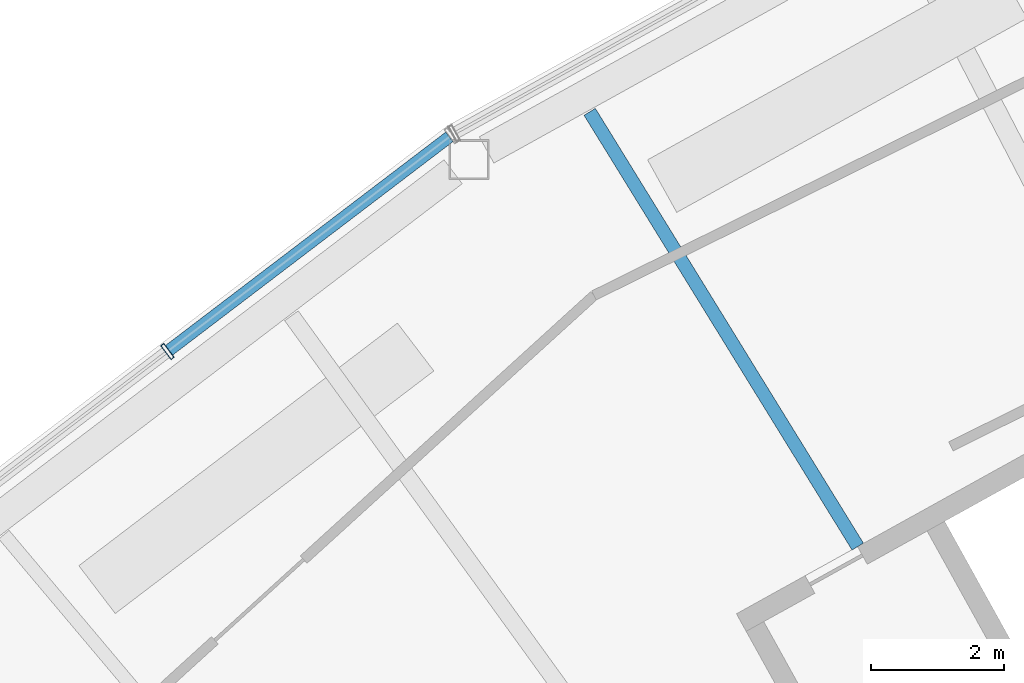
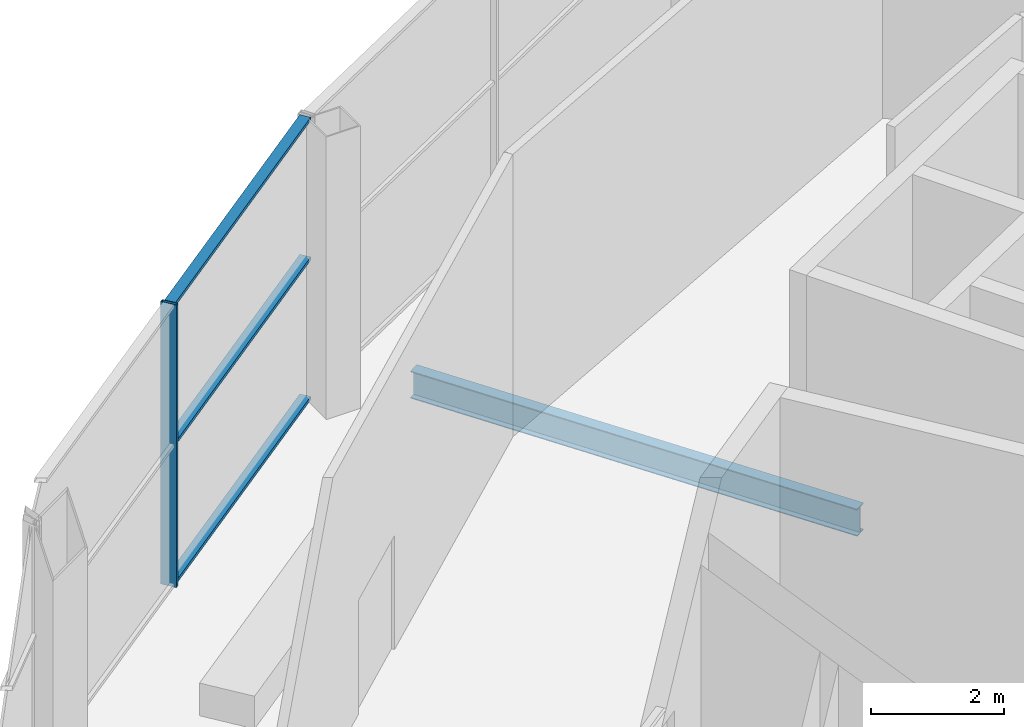
# One storey, part 10 of 44: 4 members, 1 beam, 1 element without a shape of its own.
"""IFC4 building model written with IfcOpenShell, lengths in metres."""

from ifc_helpers import new_model, si_unit, direction, frame, origin, origin_2d, place, context, subcontext, project, spatial, hollow_rectangle, i_section, extrude, material, layer, layer_set, material_profile, profile_set, type_object, element, aggregate, save


model = new_model("IFC4")

# Units and contexts
model_context = context("Model", 3, precision=1e-05, world=origin(), true_north=direction((0.0, 1.0)))
body_context = subcontext(model_context, "Body", "Model", "MODEL_VIEW")
ifc_project = project(units=[si_unit("LENGTHUNIT", "METRE"), si_unit("AREAUNIT", "SQUARE_METRE"), si_unit("VOLUMEUNIT", "CUBIC_METRE"), si_unit("PLANEANGLEUNIT", "RADIAN"), si_unit("MASSUNIT", "GRAM", prefix="KILO")], contexts=[model_context])

# Site, building, storey
site_placement = place(None, origin())
site = spatial("IfcSite", under=ifc_project, at=site_placement, CompositionType="ELEMENT")
building_placement = place(site_placement, origin())
building = spatial("IfcBuilding", under=site, at=building_placement, Name="Tuul Gate Civic Tower", CompositionType="ELEMENT")
storey_placement = place(building_placement, frame((0.0, 0.0, 354.60009765625)))
storey = spatial("IfcBuildingStorey", under=building, at=storey_placement, Name="Observation level 2", CompositionType="ELEMENT", Elevation=354.60009765625)

# Curtain wall, members
ifc_material_1 = material(Name="Stainless steel", Category="steel")
ifc_layer = layer(ifc_material_1, 0.199951171875)
ifc_layer_set = layer_set([ifc_layer], Name="Stainless steel")
curtain_wall_type = type_object("IfcCurtainWallType", Name="Curtain wall CW4", PredefinedType="NOTDEFINED", material=ifc_layer_set)
curtain_wall_placement = place(storey_placement, origin())
curtain_wall = element("IfcCurtainWall", 1, at=curtain_wall_placement, inside=storey, type_object=curtain_wall_type, Name="Curtain wall CW4", PredefinedType="NOTDEFINED")
ifc_material_2 = material(Name="Stainless steel", Category="steel")
ifc_material_profile_1 = material_profile(ifc_material_2, hollow_rectangle(XDim=0.260009765625, YDim=0.06005859375, WallThickness=0.006103515625, at=origin_2d()), Name="CW4 mullion")
ifc_profile_set_1 = profile_set([ifc_material_profile_1], Name="Stainless steel")
member_type_1 = type_object("IfcMemberType", Name="CW4 mullion", PredefinedType="MULLION", material=ifc_profile_set_1)
member_1_placement = place(storey_placement, frame((-42.73046875, -1.071044921875, 0.0), z_axis=(0.0, 0.0, 1.0), x_axis=(0.605807600786, -0.795611180684, 0.0)))
member_1 = element("IfcMember", 2, at=member_1_placement, type_object=member_type_1, Name="Mullion", PredefinedType="MULLION", context=body_context, shape_type="SweptSolid", body=[
    extrude(hollow_rectangle(XDim=0.260009765625, YDim=0.06005859375, WallThickness=0.006103515625, at=origin_2d()), origin(), (0.0, 0.0, 1.0), 5.199951171875),
])
ifc_material_3 = material(Name="Stainless steel", Category="steel")
ifc_material_profile_2 = material_profile(ifc_material_3, hollow_rectangle(XDim=0.179931640625, YDim=0.06005859375, WallThickness=0.006103515625, at=origin_2d()), Name="CW4 transom")
ifc_profile_set_2 = profile_set([ifc_material_profile_2], Name="Stainless steel")
member_type_2 = type_object("IfcMemberType", Name="CW4 transom", PredefinedType="USERDEFINED", material=ifc_profile_set_2)
member_2_placement = place(storey_placement, frame((-38.504638671875, 2.146728515625, 0.02978515625), z_axis=(-0.795613143647, -0.605805022805, 0.0), x_axis=(0.605805022805, -0.795613143647, 0.0)))
member_2 = element("IfcMember", 3, at=member_2_placement, type_object=member_type_2, Name="Transom", ObjectType="TRANSOM", PredefinedType="USERDEFINED", context=body_context, shape_type="SweptSolid", body=[
    extrude(hollow_rectangle(XDim=0.179931640625, YDim=0.06005859375, WallThickness=0.006103515625, at=origin_2d()), origin(), (0.0, 0.0, 1.0), 5.28125),
])
member_3_placement = place(storey_placement, frame((-38.504638671875, 2.146728515625, 2.599853515625), z_axis=(-0.795613143647, -0.605805022805, 0.0), x_axis=(0.605805022805, -0.795613143647, 0.0)))
member_3 = element("IfcMember", 4, at=member_3_placement, type_object=member_type_2, Name="Transom", ObjectType="TRANSOM", PredefinedType="USERDEFINED", context=body_context, shape_type="SweptSolid", body=[
    extrude(hollow_rectangle(XDim=0.179931640625, YDim=0.06005859375, WallThickness=0.006103515625, at=origin_2d()), origin(), (0.0, 0.0, 1.0), 5.28125),
])
member_4_placement = place(storey_placement, frame((-38.504638671875, 2.146728515625, 5.169921875), z_axis=(-0.795613143647, -0.605805022805, 0.0), x_axis=(0.605805022805, -0.795613143647, 0.0)))
member_4 = element("IfcMember", 5, at=member_4_placement, type_object=member_type_2, Name="Transom", ObjectType="TRANSOM", PredefinedType="USERDEFINED", context=body_context, shape_type="SweptSolid", body=[
    extrude(hollow_rectangle(XDim=0.179931640625, YDim=0.06005859375, WallThickness=0.006103515625, at=origin_2d()), origin(), (0.0, 0.0, 1.0), 5.28125),
])
aggregate(curtain_wall, [member_1, member_2, member_3, member_4])

# Beam
ifc_material_4 = material(Name="Steel S355", Category="steel")
ifc_material_profile_3 = material_profile(ifc_material_4, i_section(OverallWidth=0.199951171875, OverallDepth=0.5, WebThickness=0.010009765625, FlangeThickness=0.01611328125, at=origin_2d()), Name="PG500x200x10x16")
ifc_profile_set_3 = profile_set([ifc_material_profile_3], Name="Steel S355")
beam_type = type_object("IfcBeamType", Name="STR-FLOOR BEAM-PG500x200x10x16", PredefinedType="BEAM", material=ifc_profile_set_3)
beam_placement = place(storey_placement, frame((-32.385009765625, -3.993896484375, -0.650146484375), z_axis=(-0.524857120658, 0.851190344691, 0.0), x_axis=(-0.851190344691, -0.524857120658, 0.0)))
element("IfcBeam", 6, at=beam_placement, inside=storey, type_object=beam_type, Name="Floor beam", PredefinedType="BEAM", context=body_context, shape_type="SweptSolid", body=[
    extrude(i_section(OverallWidth=0.199951171875, OverallDepth=0.5, WebThickness=0.010009765625, FlangeThickness=0.01611328125, at=origin_2d()), origin(), (0.0, 0.0, 1.0), 7.654052734375),
])

save(model, "model.ifc")
